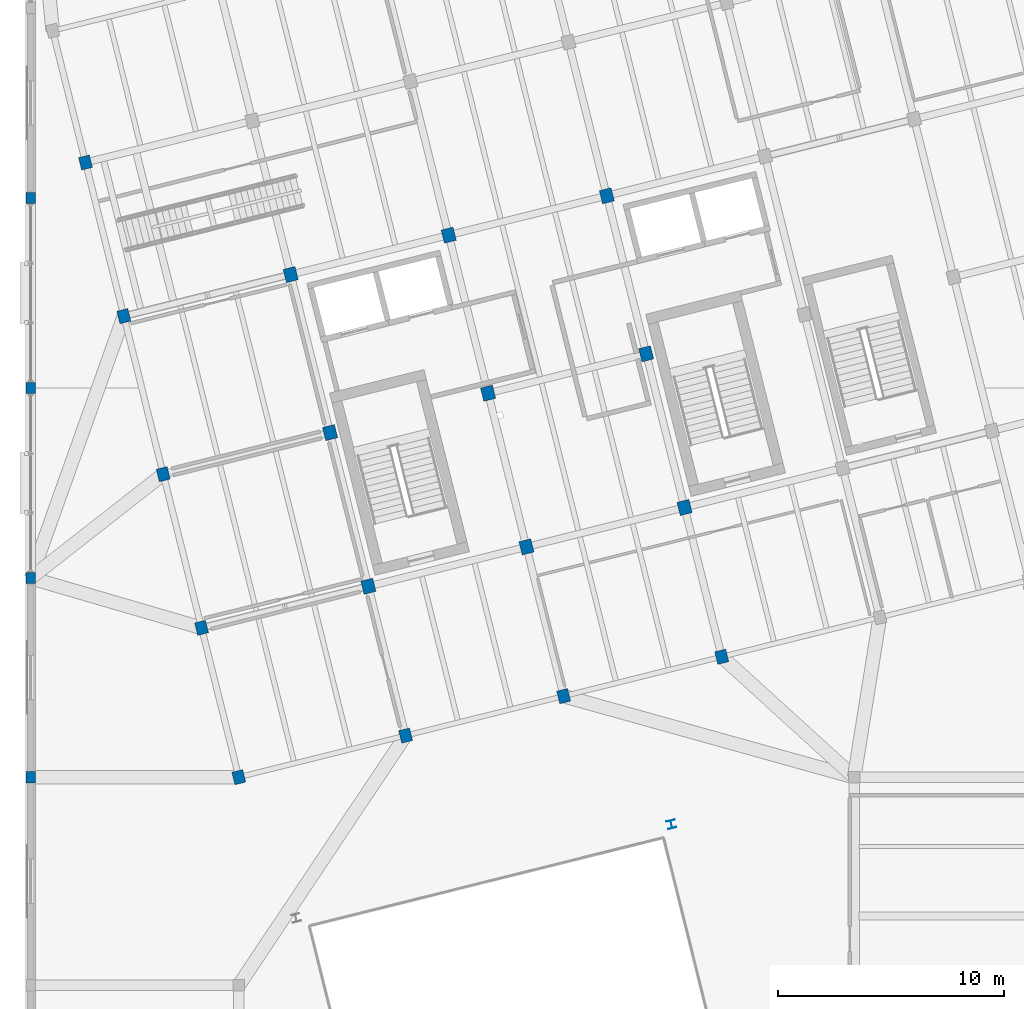
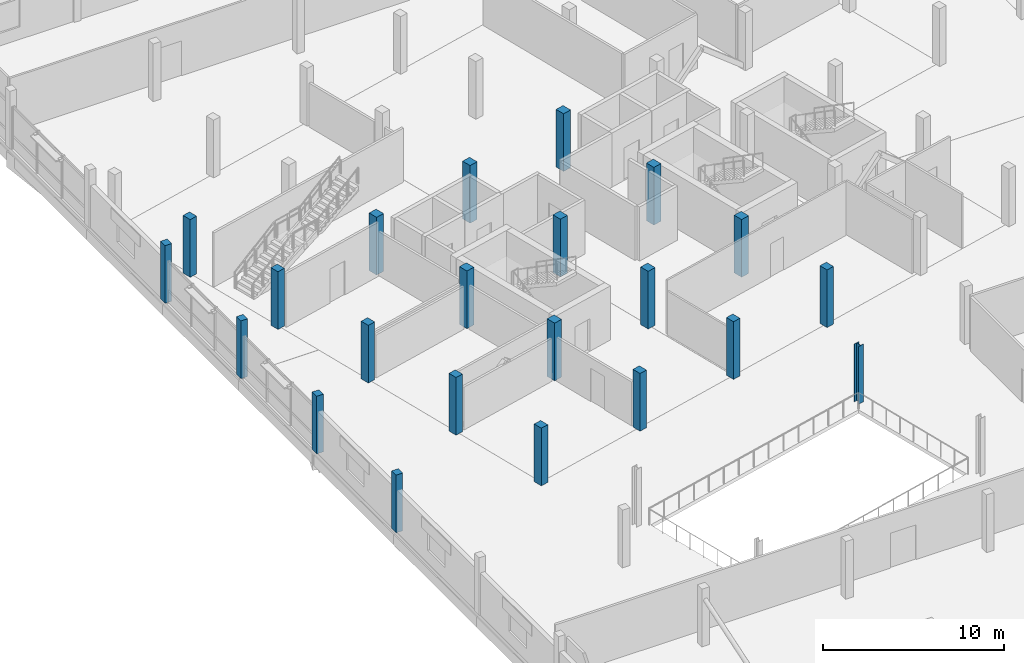
# One storey, part 3 of 62: 22 columns.
"""IFC4 building model written with IfcOpenShell, lengths in metres."""

from ifc_helpers import new_model, si_unit, direction, frame, origin, origin_2d, place, context, subcontext, project, spatial, rectangle, i_section, extrude, material, material_profile, profile_set, type_object, element, save


model = new_model("IFC4")

# Units and contexts
model_context = context("Model", 3, precision=1e-05, world=origin(), true_north=direction((0.0, 1.0)))
body_context = subcontext(model_context, "Body", "Model", "MODEL_VIEW")
ifc_project = project(units=[si_unit("LENGTHUNIT", "METRE"), si_unit("AREAUNIT", "SQUARE_METRE"), si_unit("VOLUMEUNIT", "CUBIC_METRE"), si_unit("PLANEANGLEUNIT", "RADIAN"), si_unit("MASSUNIT", "GRAM", prefix="KILO")], contexts=[model_context])

# Site, building, storey
site_placement = place(None, origin())
site = spatial("IfcSite", under=ifc_project, at=site_placement, CompositionType="ELEMENT")
building_placement = place(site_placement, origin())
building = spatial("IfcBuilding", under=site, at=building_placement, Name="Meriwether Solvik Hall", CompositionType="ELEMENT")
storey_placement = place(building_placement, frame((0.0, 0.0, 14.39990234375)))
storey = spatial("IfcBuildingStorey", under=building, at=storey_placement, Name="L03", CompositionType="ELEMENT", Elevation=14.39990234375)

# Columns
ifc_material_1 = material(Name="Glulam Douglas-Fir L2 GL28c", Category="wood")
ifc_material_profile_1 = material_profile(ifc_material_1, rectangle(XDim=0.419921875, YDim=0.4951171875, at=origin_2d()), Name="GLC-420X495")
ifc_profile_set_1 = profile_set([ifc_material_profile_1], Name="Glulam Douglas-Fir L2 GL28c")
column_type_1 = type_object("IfcColumnType", Name="COL-GL-420X495", PredefinedType="COLUMN", material=ifc_profile_set_1)
for number, where, z_axis, x_axis, name in (
    (1, (59.39990234375, 41.199951171875, 0.0), (0.0, 0.0, 1.0), (1.0, 0.0, 0.0), "Podium Column 7/E (L03)"),
    (2, (59.39990234375, 50.0, 0.0), (0.0, 0.0, 1.0), (1.0, 0.0, 0.0), "Podium Column 7/F (L03)"),
    (3, (59.39990234375, 58.39990234375, 0.0), (0.0, 0.0, 1.0), (1.0, 0.0, 0.0), "Podium Column 7/G (L03)"),
    (4, (59.39990234375, 66.800048828125, 0.0), (0.0, 0.0, 1.0), (1.0, 0.0, 0.0), "Podium Column 7/H (L03)"),
):
    element("IfcColumn", number, at=place(storey_placement, frame(where, z_axis=z_axis, x_axis=x_axis)), inside=storey, type_object=column_type_1, Name=name, PredefinedType="COLUMN", context=body_context, shape_type="SweptSolid", body=[
        extrude(rectangle(XDim=0.419921875, YDim=0.4951171875, at=origin_2d()), origin(), (0.0, 0.0, 1.0), 3.900146484375),
    ])
ifc_material_2 = material(Name="Glulam Douglas-Fir L2 GL28c", Category="wood")
ifc_material_profile_2 = material_profile(ifc_material_2, rectangle(XDim=0.4951171875, YDim=0.570068359375, at=origin_2d()), Name="GLC-495X570")
ifc_profile_set_2 = profile_set([ifc_material_profile_2], Name="Glulam Douglas-Fir L2 GL28c")
column_type_2 = type_object("IfcColumnType", Name="COL-GL-495X570", PredefinedType="COLUMN", material=ifc_profile_set_2)
for number, where, z_axis, x_axis, name in (
    (5, (68.60009765625, 41.199951171875, 0.0), (0.0, 0.0, 1.0), (0.970295726276, 0.2419218956, 0.0), "Tower Column T1/TA (L03)"),
    (6, (66.954833984375, 47.798095703125, 0.0), (0.0, 0.0, 1.0), (0.970295726276, 0.2419218956, 0.0), "Tower Column T1/TB (L03)"),
    (7, (65.261474609375, 54.590087890625, 0.0), (0.0, 0.0, 1.0), (0.970295726276, 0.2419218956, 0.0), "Tower Column T1/TC (L03)"),
    (8, (63.51953125, 61.576171875, 0.0), (0.0, 0.0, 1.0), (0.970295726276, 0.2419218956, 0.0), "Tower Column T1/TD (L03)"),
    (9, (61.826171875, 68.3681640625, 0.0), (0.0, 0.0, 1.0), (0.970295726276, 0.2419218956, 0.0), "Tower Column T1/TE (L03)"),
    (10, (75.974365234375, 43.03857421875, 0.0), (0.0, 0.0, 1.0), (0.970295726276, 0.2419218956, 0.0), "Tower Column T2/TA (L03)"),
    (11, (82.96044921875, 44.780517578125, 0.0), (0.0, 0.0, 1.0), (0.970295726276, 0.2419218956, 0.0), "Tower Column T3/TA (L03)"),
    (12, (89.946533203125, 46.522216796875, 0.0), (0.0, 0.0, 1.0), (0.970295726276, 0.2419218956, 0.0), "Tower Column T4/TA (L03)"),
):
    element("IfcColumn", number, at=place(storey_placement, frame(where, z_axis=z_axis, x_axis=x_axis)), inside=storey, type_object=column_type_2, Name=name, PredefinedType="COLUMN", context=body_context, shape_type="SweptSolid", body=[
        extrude(rectangle(XDim=0.4951171875, YDim=0.570068359375, at=origin_2d()), origin(), (0.0, 0.0, 1.0), 3.900146484375),
    ])
ifc_material_3 = material(Name="Glulam Douglas-Fir L2 GL28c", Category="wood")
ifc_material_profile_3 = material_profile(ifc_material_3, rectangle(XDim=0.5400390625, YDim=0.60009765625, at=origin_2d()), Name="GLC-540X600")
ifc_profile_set_3 = profile_set([ifc_material_profile_3], Name="Glulam Douglas-Fir L2 GL28c")
column_type_3 = type_object("IfcColumnType", Name="COL-GL-540X600", PredefinedType="COLUMN", material=ifc_profile_set_3)
for number, where, z_axis, x_axis, name in (
    (13, (74.3291015625, 49.63671875, 0.0), (0.0, 0.0, 1.0), (0.970295726276, 0.2419218956, 0.0), "Tower Column T2/TB (L03)"),
    (14, (72.6357421875, 56.4287109375, 0.0), (0.0, 0.0, 1.0), (0.970295726276, 0.2419218956, 0.0), "Tower Column T2/TC (L03)"),
    (15, (70.893798828125, 63.414794921875, 0.0), (0.0, 0.0, 1.0), (0.970295726276, 0.2419218956, 0.0), "Tower Column T2/TD (L03)"),
    (16, (81.3154296875, 51.37841796875, 0.0), (0.0, 0.0, 1.0), (0.970295726276, 0.2419218956, 0.0), "Tower Column T3/TB (L03)"),
    (17, (79.621826171875, 58.17041015625, 0.0), (0.0, 0.0, 1.0), (0.970295726276, 0.2419218956, 0.0), "Tower Column T3/TC (L03)"),
    (18, (77.880126953125, 65.15673828125, 0.0), (0.0, 0.0, 1.0), (0.970295726276, 0.2419218956, 0.0), "Tower Column T3/TD (L03)"),
    (19, (88.301513671875, 53.120361328125, 0.0), (0.0, 0.0, 1.0), (0.970295726276, 0.2419218956, 0.0), "Tower Column T4/TB (L03)"),
    (20, (86.60791015625, 59.912353515625, 0.0), (0.0, 0.0, 1.0), (0.970295726276, 0.2419218956, 0.0), "Tower Column T4/TC (L03)"),
    (21, (84.8662109375, 66.8984375, 0.0), (0.0, 0.0, 1.0), (0.970295726276, 0.2419218956, 0.0), "Tower Column T4/TD (L03)"),
):
    element("IfcColumn", number, at=place(storey_placement, frame(where, z_axis=z_axis, x_axis=x_axis)), inside=storey, type_object=column_type_3, Name=name, PredefinedType="COLUMN", context=body_context, shape_type="SweptSolid", body=[
        extrude(rectangle(XDim=0.5400390625, YDim=0.60009765625, at=origin_2d()), origin(), (0.0, 0.0, 1.0), 3.900146484375),
    ])
ifc_material_4 = material(Name="Steel A992 Grade 50", Category="steel")
ifc_material_profile_4 = material_profile(ifc_material_4, i_section(OverallWidth=0.368896484375, OverallDepth=0.35595703125, WebThickness=0.01123046875, FlangeThickness=0.01806640625, at=origin_2d()), Name="W14X90")
ifc_profile_set_4 = profile_set([ifc_material_profile_4], Name="Steel A992 Grade 50")
column_type_4 = type_object("IfcColumnType", Name="COL-STL-W14X90", PredefinedType="COLUMN", material=ifc_profile_set_4)
column_placement = place(storey_placement, frame((87.72265625, 39.1142578125, 0.0), z_axis=(0.0, 0.0, 1.0), x_axis=(0.970295726276, 0.2419218956, 0.0)))
element("IfcColumn", 22, at=column_placement, inside=storey, type_object=column_type_4, Name="Atrium Cleft Corner Column NE (L03)", PredefinedType="COLUMN", context=body_context, shape_type="SweptSolid", body=[
    extrude(i_section(OverallWidth=0.368896484375, OverallDepth=0.35595703125, WebThickness=0.01123046875, FlangeThickness=0.01806640625, at=origin_2d()), origin(), (0.0, 0.0, 1.0), 3.900146484375),
])

save(model, "model.ifc")
